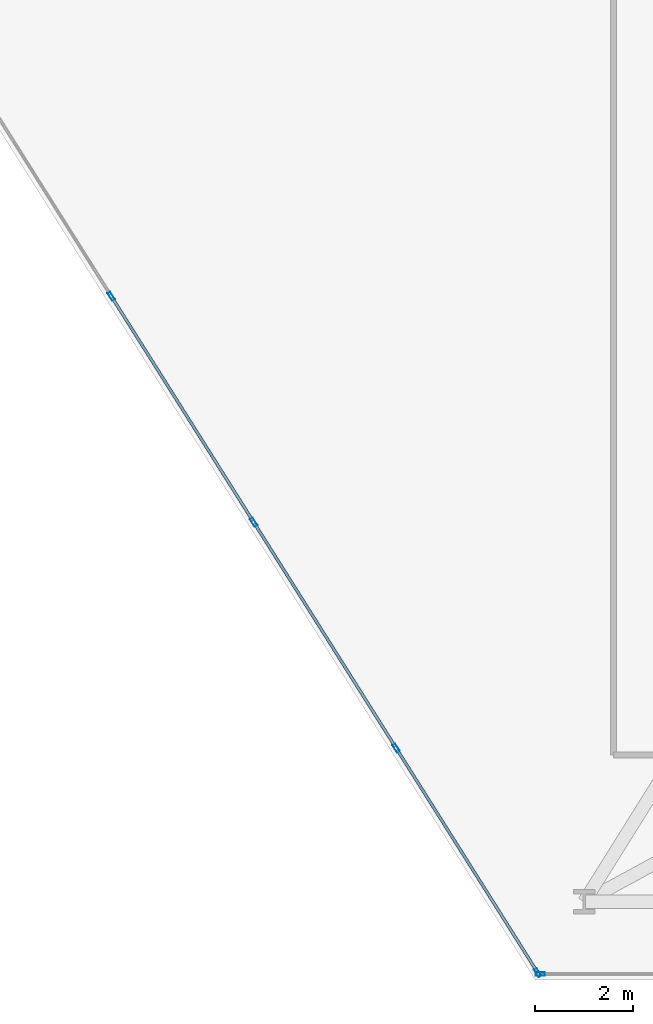
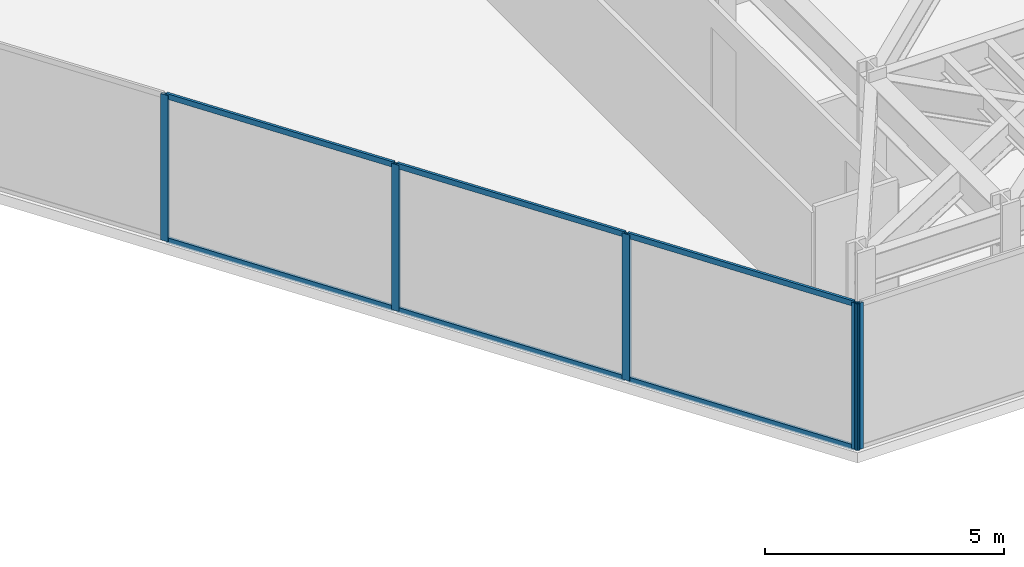
# One storey, part 12 of 25: 11 members, 2 elements without a shape of their own.
"""IFC4 building model written with IfcOpenShell, lengths in metres."""

from ifc_helpers import new_model, si_unit, direction, frame, origin, origin_2d, place, context, subcontext, project, spatial, hollow_rectangle, extrude, material, layer, layer_set, material_profile, profile_set, type_object, element, aggregate, save


model = new_model("IFC4")

# Units and contexts
model_context = context("Model", 3, precision=1e-05, world=origin(), true_north=direction((0.0, 1.0)))
body_context = subcontext(model_context, "Body", "Model", "MODEL_VIEW")
ifc_project = project(units=[si_unit("LENGTHUNIT", "METRE"), si_unit("AREAUNIT", "SQUARE_METRE"), si_unit("VOLUMEUNIT", "CUBIC_METRE"), si_unit("PLANEANGLEUNIT", "RADIAN"), si_unit("MASSUNIT", "GRAM", prefix="KILO")], contexts=[model_context])

# Site, building, storey
site_placement = place(None, origin())
site = spatial("IfcSite", under=ifc_project, at=site_placement, CompositionType="ELEMENT")
building_placement = place(site_placement, origin())
building = spatial("IfcBuilding", under=site, at=building_placement, Name="Kravanh Interchange Tower", CompositionType="ELEMENT")
storey_placement = place(building_placement, frame((0.0, 0.0, 65.5)))
storey = spatial("IfcBuildingStorey", under=building, at=storey_placement, Name="L15", CompositionType="ELEMENT", Elevation=65.5)

# Curtain wall, member
ifc_material_1 = material(Name="Anodised Bronze Aluminium", Category="aluminium")
ifc_layer = layer(ifc_material_1, 0.179931640625)
ifc_layer_set = layer_set([ifc_layer], Name="Unitised Curtain Wall System CW-Z1 Lower Office")
curtain_wall_type = type_object("IfcCurtainWallType", Name="Unitised Curtain Wall System CW-Z1 Lower Office", PredefinedType="NOTDEFINED", material=ifc_layer_set)
curtain_wall_1_placement = place(storey_placement, origin())
curtain_wall_1 = element("IfcCurtainWall", 1, at=curtain_wall_1_placement, inside=storey, type_object=curtain_wall_type, Name="L15 Unitised Curtain Wall CW-L15-03", PredefinedType="NOTDEFINED")
ifc_material_2 = material(Name="Anodised Bronze Aluminium", Category="aluminium")
ifc_material_profile_1 = material_profile(ifc_material_2, hollow_rectangle(XDim=0.070068359375, YDim=0.179931640625, WallThickness=0.00390625, at=origin_2d()), Name="ALU70X180X4")
ifc_profile_set_1 = profile_set([ifc_material_profile_1], Name="Anodised Bronze Aluminium")
member_type_1 = type_object("IfcMemberType", Name="Curtain Wall Mullion ALU70X180X4 Bronze", PredefinedType="MULLION", material=ifc_profile_set_1)
member_1_placement = place(storey_placement, frame((51.601318359375, 1.1201171875, 0.0), z_axis=(0.0, 0.0, 1.0), x_axis=(0.0, -1.0, 0.0)))
member_1 = element("IfcMember", 2, at=member_1_placement, type_object=member_type_1, Name="CW-Z1 mullion 3", PredefinedType="MULLION", context=body_context, shape_type="SweptSolid", body=[
    extrude(hollow_rectangle(XDim=0.070068359375, YDim=0.179931640625, WallThickness=0.00390625, at=origin_2d()), origin(), (0.0, 0.0, 1.0), 3.739990234375),
])
aggregate(curtain_wall_1, [member_1])

# Curtain wall, members
curtain_wall_2_placement = place(storey_placement, origin())
curtain_wall_2 = element("IfcCurtainWall", 3, at=curtain_wall_2_placement, inside=storey, type_object=curtain_wall_type, Name="L15 Unitised Curtain Wall CW-L15-04", PredefinedType="NOTDEFINED")
member_2_placement = place(storey_placement, frame((51.547607421875, 1.149658203125, 0.0), z_axis=(0.0, 0.0, 1.0), x_axis=(-0.845925530786, -0.53330103728, 0.0)))
member_2 = element("IfcMember", 4, at=member_2_placement, type_object=member_type_1, Name="CW-Z1 mullion 1", PredefinedType="MULLION", context=body_context, shape_type="SweptSolid", body=[
    extrude(hollow_rectangle(XDim=0.070068359375, YDim=0.179931640625, WallThickness=0.00390625, at=origin_2d()), origin(), (0.0, 0.0, 1.0), 3.739990234375),
])
member_3_placement = place(storey_placement, frame((48.653076171875, 5.740966796875, 0.0), z_axis=(0.0, 0.0, 1.0), x_axis=(-0.845925530786, -0.53330103728, 0.0)))
member_3 = element("IfcMember", 5, at=member_3_placement, type_object=member_type_1, Name="CW-Z1 mullion 2", PredefinedType="MULLION", context=body_context, shape_type="SweptSolid", body=[
    extrude(hollow_rectangle(XDim=0.070068359375, YDim=0.179931640625, WallThickness=0.00390625, at=origin_2d()), origin(), (0.0, 0.0, 1.0), 3.739990234375),
])
member_4_placement = place(storey_placement, frame((45.73974609375, 10.362060546875, 0.0), z_axis=(0.0, 0.0, 1.0), x_axis=(-0.845925530786, -0.53330103728, 0.0)))
member_4 = element("IfcMember", 6, at=member_4_placement, type_object=member_type_1, Name="CW-Z1 mullion 3", PredefinedType="MULLION", context=body_context, shape_type="SweptSolid", body=[
    extrude(hollow_rectangle(XDim=0.070068359375, YDim=0.179931640625, WallThickness=0.00390625, at=origin_2d()), origin(), (0.0, 0.0, 1.0), 3.739990234375),
])
member_5_placement = place(storey_placement, frame((42.826416015625, 14.98291015625, 0.0), z_axis=(0.0, 0.0, 1.0), x_axis=(-0.845925530786, -0.53330103728, 0.0)))
member_5 = element("IfcMember", 7, at=member_5_placement, type_object=member_type_1, Name="CW-Z1 mullion 4", PredefinedType="MULLION", context=body_context, shape_type="SweptSolid", body=[
    extrude(hollow_rectangle(XDim=0.070068359375, YDim=0.179931640625, WallThickness=0.00390625, at=origin_2d()), origin(), (0.0, 0.0, 1.0), 3.739990234375),
])
ifc_material_3 = material(Name="Anodised Bronze Aluminium", Category="aluminium")
ifc_material_profile_2 = material_profile(ifc_material_3, hollow_rectangle(XDim=0.06005859375, YDim=0.139892578125, WallThickness=0.00390625, at=origin_2d()), Name="ALU60X140X4")
ifc_profile_set_2 = profile_set([ifc_material_profile_2], Name="Anodised Bronze Aluminium")
member_type_2 = type_object("IfcMemberType", Name="Curtain Wall Transom ALU60X140X4 Bronze", PredefinedType="USERDEFINED", material=ifc_profile_set_2)
member_6_placement = place(storey_placement, frame((51.52880859375, 1.17919921875, 0.030029296875), z_axis=(-0.533288163518, 0.845933646719, 0.0), x_axis=(-0.845933646719, -0.533288163518, 0.0)))
member_6 = element("IfcMember", 8, at=member_6_placement, type_object=member_type_2, Name="CW-Z1 transom 1.1", ObjectType="TRANSOM", PredefinedType="USERDEFINED", context=body_context, shape_type="SweptSolid", body=[
    extrude(hollow_rectangle(XDim=0.06005859375, YDim=0.139892578125, WallThickness=0.00390625, at=origin_2d()), origin(), (0.0, 0.0, 1.0), 5.357666015625),
])
member_7_placement = place(storey_placement, frame((51.52880859375, 1.17919921875, 3.7099609375), z_axis=(-0.533288163518, 0.845933646719, 0.0), x_axis=(-0.845933646719, -0.533288163518, 0.0)))
member_7 = element("IfcMember", 9, at=member_7_placement, type_object=member_type_2, Name="CW-Z1 transom 1.2", ObjectType="TRANSOM", PredefinedType="USERDEFINED", context=body_context, shape_type="SweptSolid", body=[
    extrude(hollow_rectangle(XDim=0.06005859375, YDim=0.139892578125, WallThickness=0.00390625, at=origin_2d()), origin(), (0.0, 0.0, 1.0), 5.357666015625),
])
member_8_placement = place(storey_placement, frame((48.63427734375, 5.7705078125, 0.030029296875), z_axis=(-0.533311487456, 0.84591894254, 0.0), x_axis=(-0.84591894254, -0.533311487456, 0.0)))
member_8 = element("IfcMember", 10, at=member_8_placement, type_object=member_type_2, Name="CW-Z1 transom 2.1", ObjectType="TRANSOM", PredefinedType="USERDEFINED", context=body_context, shape_type="SweptSolid", body=[
    extrude(hollow_rectangle(XDim=0.06005859375, YDim=0.139892578125, WallThickness=0.00390625, at=origin_2d()), origin(), (0.0, 0.0, 1.0), 5.392578125),
])
member_9_placement = place(storey_placement, frame((48.63427734375, 5.7705078125, 3.7099609375), z_axis=(-0.533311487456, 0.84591894254, 0.0), x_axis=(-0.84591894254, -0.533311487456, 0.0)))
member_9 = element("IfcMember", 11, at=member_9_placement, type_object=member_type_2, Name="CW-Z1 transom 2.2", ObjectType="TRANSOM", PredefinedType="USERDEFINED", context=body_context, shape_type="SweptSolid", body=[
    extrude(hollow_rectangle(XDim=0.06005859375, YDim=0.139892578125, WallThickness=0.00390625, at=origin_2d()), origin(), (0.0, 0.0, 1.0), 5.392578125),
])
member_10_placement = place(storey_placement, frame((45.720947265625, 10.3916015625, 0.030029296875), z_axis=(-0.533279090152, 0.845939366626, 0.0), x_axis=(-0.845939366626, -0.533279090152, 0.0)))
member_10 = element("IfcMember", 12, at=member_10_placement, type_object=member_type_2, Name="CW-Z1 transom 3.1", ObjectType="TRANSOM", PredefinedType="USERDEFINED", context=body_context, shape_type="SweptSolid", body=[
    extrude(hollow_rectangle(XDim=0.06005859375, YDim=0.139892578125, WallThickness=0.00390625, at=origin_2d()), origin(), (0.0, 0.0, 1.0), 5.392578125),
])
member_11_placement = place(storey_placement, frame((45.720947265625, 10.3916015625, 3.7099609375), z_axis=(-0.533279090152, 0.845939366626, 0.0), x_axis=(-0.845939366626, -0.533279090152, 0.0)))
member_11 = element("IfcMember", 13, at=member_11_placement, type_object=member_type_2, Name="CW-Z1 transom 3.2", ObjectType="TRANSOM", PredefinedType="USERDEFINED", context=body_context, shape_type="SweptSolid", body=[
    extrude(hollow_rectangle(XDim=0.06005859375, YDim=0.139892578125, WallThickness=0.00390625, at=origin_2d()), origin(), (0.0, 0.0, 1.0), 5.392578125),
])
aggregate(curtain_wall_2, [member_2, member_3, member_4, member_5, member_6, member_7, member_8, member_9, member_10, member_11])

save(model, "model.ifc")
